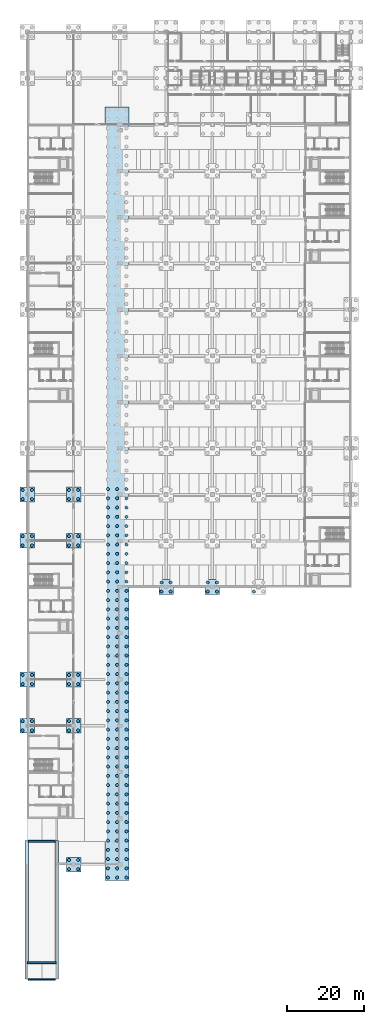
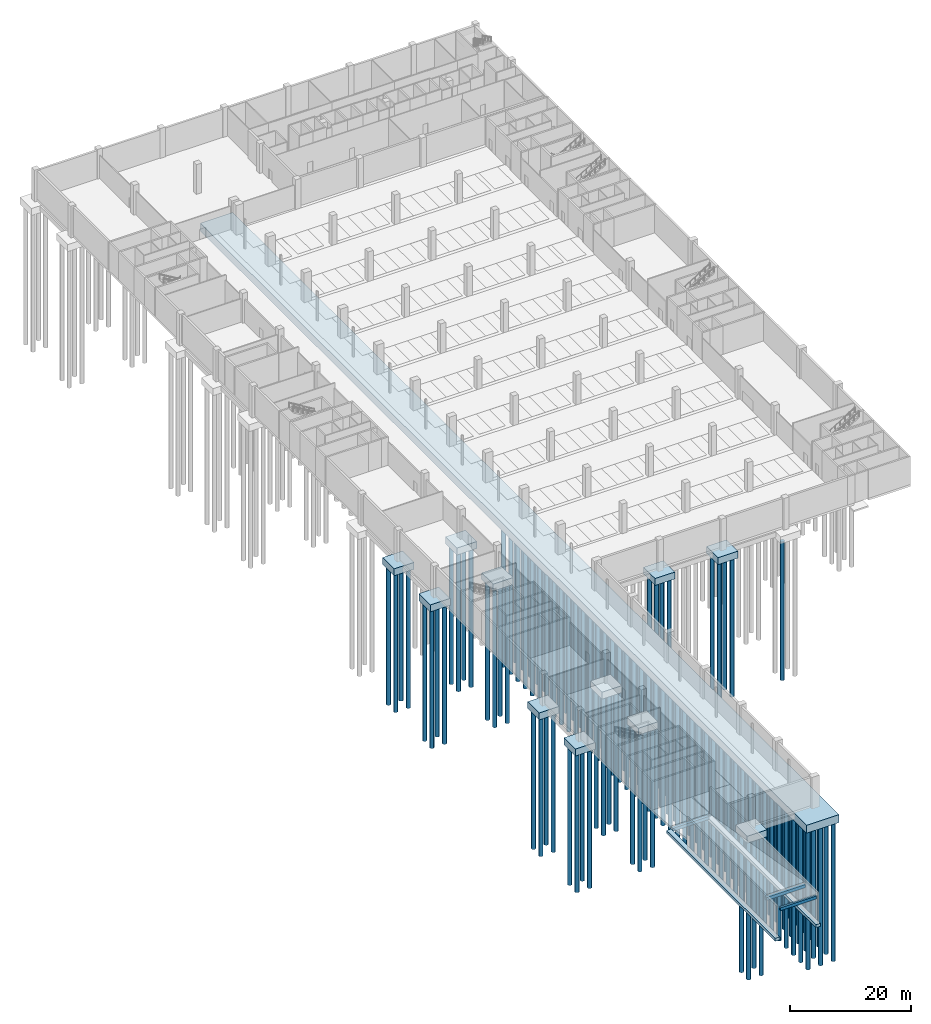
# One storey, part 1 of 34: 174 piles, 17 footings.
"""IFC4 building model written with IfcOpenShell, lengths in metres."""

from ifc_helpers import new_model, si_unit, direction, frame, origin, origin_2d, place, context, subcontext, project, spatial, polyline, circle, outline, extrude, material, layer, layer_set, material_profile, profile_set, type_object, element, save


model = new_model("IFC4")

# Units and contexts
model_context = context("Model", 3, precision=1e-05, world=origin(), true_north=direction((0.0, 1.0)))
body_context = subcontext(model_context, "Body", "Model", "MODEL_VIEW")
ifc_project = project(units=[si_unit("LENGTHUNIT", "METRE"), si_unit("AREAUNIT", "SQUARE_METRE"), si_unit("VOLUMEUNIT", "CUBIC_METRE"), si_unit("PLANEANGLEUNIT", "RADIAN"), si_unit("MASSUNIT", "GRAM", prefix="KILO")], contexts=[model_context])

# Site, building, storey
site_placement = place(None, origin())
site = spatial("IfcSite", under=ifc_project, at=site_placement, CompositionType="ELEMENT")
building_placement = place(site_placement, origin())
building = spatial("IfcBuilding", under=site, at=building_placement, Name="Lilac Gate Convention Centre", CompositionType="ELEMENT")
storey_placement = place(building_placement, frame((0.0, 0.0, -6.0)))
storey = spatial("IfcBuildingStorey", under=building, at=storey_placement, Name="B1", CompositionType="ELEMENT", Elevation=-6.0)

# Piles
ifc_material_1 = material(Name="Concrete C35", Category="concrete")
ifc_material_profile = material_profile(ifc_material_1, circle(Radius=0.39990234375, at=origin_2d()), Name="D800")
ifc_profile_set = profile_set([ifc_material_profile], Name="Concrete C35")
pile_type = type_object("IfcPileType", Name="Bored pile D800 L28 C35", PredefinedType="BORED", material=ifc_profile_set)
for number, where, z_axis, x_axis, name in (
    (1, (16.800048828125, 28.800048828125, -1.800048828125), (0.0, 0.0, -1.0), (1.0, 0.0, 0.0), "PL1 pile 1 of PC1 at 2/A"),
    (2, (16.800048828125, 31.199951171875, -1.800048828125), (0.0, 0.0, -1.0), (1.0, 0.0, 0.0), "PL1 pile 2 of PC1 at 2/A"),
    (3, (19.199951171875, 28.800048828125, -1.800048828125), (0.0, 0.0, -1.0), (1.0, 0.0, 0.0), "PL1 pile 3 of PC1 at 2/A"),
    (4, (19.199951171875, 31.199951171875, -1.800048828125), (0.0, 0.0, -1.0), (1.0, 0.0, 0.0), "PL1 pile 4 of PC1 at 2/A"),
    (5, (4.800048828125, 64.800048828125, -1.800048828125), (0.0, 0.0, -1.0), (1.0, 0.0, 0.0), "PL1 pile 1 of PC1 at 1/D"),
    (6, (4.800048828125, 67.199951171875, -1.800048828125), (0.0, 0.0, -1.0), (1.0, 0.0, 0.0), "PL1 pile 2 of PC1 at 1/D"),
    (7, (7.199951171875, 64.800048828125, -1.800048828125), (0.0, 0.0, -1.0), (1.0, 0.0, 0.0), "PL1 pile 3 of PC1 at 1/D"),
    (8, (7.199951171875, 67.199951171875, -1.800048828125), (0.0, 0.0, -1.0), (1.0, 0.0, 0.0), "PL1 pile 4 of PC1 at 1/D"),
    (9, (16.800048828125, 64.800048828125, -1.800048828125), (0.0, 0.0, -1.0), (1.0, 0.0, 0.0), "PL1 pile 1 of PC1 at 2/D"),
    (10, (16.800048828125, 67.199951171875, -1.800048828125), (0.0, 0.0, -1.0), (1.0, 0.0, 0.0), "PL1 pile 2 of PC1 at 2/D"),
    (11, (19.199951171875, 64.800048828125, -1.800048828125), (0.0, 0.0, -1.0), (1.0, 0.0, 0.0), "PL1 pile 3 of PC1 at 2/D"),
    (12, (19.199951171875, 67.199951171875, -1.800048828125), (0.0, 0.0, -1.0), (1.0, 0.0, 0.0), "PL1 pile 4 of PC1 at 2/D"),
    (13, (4.800048828125, 76.800048828125, -1.800048828125), (0.0, 0.0, -1.0), (1.0, 0.0, 0.0), "PL1 pile 1 of PC1 at 1/E"),
    (14, (4.800048828125, 79.199951171875, -1.800048828125), (0.0, 0.0, -1.0), (1.0, 0.0, 0.0), "PL1 pile 2 of PC1 at 1/E"),
    (15, (7.199951171875, 76.800048828125, -1.800048828125), (0.0, 0.0, -1.0), (1.0, 0.0, 0.0), "PL1 pile 3 of PC1 at 1/E"),
    (16, (7.199951171875, 79.199951171875, -1.800048828125), (0.0, 0.0, -1.0), (1.0, 0.0, 0.0), "PL1 pile 4 of PC1 at 1/E"),
    (17, (16.800048828125, 76.800048828125, -1.800048828125), (0.0, 0.0, -1.0), (1.0, 0.0, 0.0), "PL1 pile 1 of PC1 at 2/E"),
    (18, (16.800048828125, 79.199951171875, -1.800048828125), (0.0, 0.0, -1.0), (1.0, 0.0, 0.0), "PL1 pile 2 of PC1 at 2/E"),
    (19, (19.199951171875, 76.800048828125, -1.800048828125), (0.0, 0.0, -1.0), (1.0, 0.0, 0.0), "PL1 pile 3 of PC1 at 2/E"),
    (20, (19.199951171875, 79.199951171875, -1.800048828125), (0.0, 0.0, -1.0), (1.0, 0.0, 0.0), "PL1 pile 4 of PC1 at 2/E"),
    (21, (40.800048828125, 100.800048828125, -1.800048828125), (0.0, 0.0, -1.0), (1.0, 0.0, 0.0), "PL1 pile 1 of PC1 at 4/G"),
    (22, (40.800048828125, 103.199951171875, -1.800048828125), (0.0, 0.0, -1.0), (1.0, 0.0, 0.0), "PL1 pile 2 of PC1 at 4/G"),
    (23, (43.199951171875, 100.800048828125, -1.800048828125), (0.0, 0.0, -1.0), (1.0, 0.0, 0.0), "PL1 pile 3 of PC1 at 4/G"),
    (24, (43.199951171875, 103.199951171875, -1.800048828125), (0.0, 0.0, -1.0), (1.0, 0.0, 0.0), "PL1 pile 4 of PC1 at 4/G"),
    (25, (52.800048828125, 100.800048828125, -1.800048828125), (0.0, 0.0, -1.0), (1.0, 0.0, 0.0), "PL1 pile 1 of PC1 at 5/G"),
    (26, (52.800048828125, 103.199951171875, -1.800048828125), (0.0, 0.0, -1.0), (1.0, 0.0, 0.0), "PL1 pile 2 of PC1 at 5/G"),
    (27, (55.199951171875, 100.800048828125, -1.800048828125), (0.0, 0.0, -1.0), (1.0, 0.0, 0.0), "PL1 pile 3 of PC1 at 5/G"),
    (28, (55.199951171875, 103.199951171875, -1.800048828125), (0.0, 0.0, -1.0), (1.0, 0.0, 0.0), "PL1 pile 4 of PC1 at 5/G"),
    (29, (64.800048828125, 100.800048828125, -1.800048828125), (0.0, 0.0, -1.0), (1.0, 0.0, 0.0), "PL1 pile 1 of PC1 at 6/G"),
    (30, (4.800048828125, 112.800048828125, -1.800048828125), (0.0, 0.0, -1.0), (1.0, 0.0, 0.0), "PL1 pile 1 of PC1 at 1/H"),
    (31, (4.800048828125, 115.199951171875, -1.800048828125), (0.0, 0.0, -1.0), (1.0, 0.0, 0.0), "PL1 pile 2 of PC1 at 1/H"),
    (32, (7.199951171875, 112.800048828125, -1.800048828125), (0.0, 0.0, -1.0), (1.0, 0.0, 0.0), "PL1 pile 3 of PC1 at 1/H"),
    (33, (7.199951171875, 115.199951171875, -1.800048828125), (0.0, 0.0, -1.0), (1.0, 0.0, 0.0), "PL1 pile 4 of PC1 at 1/H"),
    (34, (16.800048828125, 112.800048828125, -1.800048828125), (0.0, 0.0, -1.0), (1.0, 0.0, 0.0), "PL1 pile 1 of PC1 at 2/H"),
    (35, (16.800048828125, 115.199951171875, -1.800048828125), (0.0, 0.0, -1.0), (1.0, 0.0, 0.0), "PL1 pile 2 of PC1 at 2/H"),
    (36, (19.199951171875, 112.800048828125, -1.800048828125), (0.0, 0.0, -1.0), (1.0, 0.0, 0.0), "PL1 pile 3 of PC1 at 2/H"),
    (37, (19.199951171875, 115.199951171875, -1.800048828125), (0.0, 0.0, -1.0), (1.0, 0.0, 0.0), "PL1 pile 4 of PC1 at 2/H"),
    (38, (4.800048828125, 124.800048828125, -1.800048828125), (0.0, 0.0, -1.0), (1.0, 0.0, 0.0), "PL1 pile 1 of PC1 at 1/J"),
    (39, (4.800048828125, 127.199951171875, -1.800048828125), (0.0, 0.0, -1.0), (1.0, 0.0, 0.0), "PL1 pile 2 of PC1 at 1/J"),
    (40, (7.199951171875, 124.800048828125, -1.800048828125), (0.0, 0.0, -1.0), (1.0, 0.0, 0.0), "PL1 pile 3 of PC1 at 1/J"),
    (41, (7.199951171875, 127.199951171875, -1.800048828125), (0.0, 0.0, -1.0), (1.0, 0.0, 0.0), "PL1 pile 4 of PC1 at 1/J"),
    (42, (16.800048828125, 124.800048828125, -1.800048828125), (0.0, 0.0, -1.0), (1.0, 0.0, 0.0), "PL1 pile 1 of PC1 at 2/J"),
    (43, (16.800048828125, 127.199951171875, -1.800048828125), (0.0, 0.0, -1.0), (1.0, 0.0, 0.0), "PL1 pile 2 of PC1 at 2/J"),
    (44, (19.199951171875, 124.800048828125, -1.800048828125), (0.0, 0.0, -1.0), (1.0, 0.0, 0.0), "PL1 pile 3 of PC1 at 2/J"),
    (45, (19.199951171875, 127.199951171875, -1.800048828125), (0.0, 0.0, -1.0), (1.0, 0.0, 0.0), "PL1 pile 4 of PC1 at 2/J"),
    (46, (26.89990234375, 26.625, -2.0), (0.0, 0.0, -1.0), (1.0, 0.0, 0.0), "PL1 pile 1 of PC3 at 29.3/126.225"),
    (47, (26.89990234375, 29.02490234375, -2.0), (0.0, 0.0, -1.0), (1.0, 0.0, 0.0), "PL1 pile 2 of PC3 at 29.3/126.225"),
    (48, (26.89990234375, 31.425048828125, -2.0), (0.0, 0.0, -1.0), (1.0, 0.0, 0.0), "PL1 pile 3 of PC3 at 29.3/126.225"),
    (49, (26.89990234375, 33.824951171875, -2.0), (0.0, 0.0, -1.0), (1.0, 0.0, 0.0), "PL1 pile 4 of PC3 at 29.3/126.225"),
    (50, (26.89990234375, 36.22509765625, -2.0), (0.0, 0.0, -1.0), (1.0, 0.0, 0.0), "PL1 pile 5 of PC3 at 29.3/126.225"),
    (51, (26.89990234375, 38.625, -2.0), (0.0, 0.0, -1.0), (1.0, 0.0, 0.0), "PL1 pile 6 of PC3 at 29.3/126.225"),
    (52, (26.89990234375, 41.02490234375, -2.0), (0.0, 0.0, -1.0), (1.0, 0.0, 0.0), "PL1 pile 7 of PC3 at 29.3/126.225"),
    (53, (26.89990234375, 43.425048828125, -2.0), (0.0, 0.0, -1.0), (1.0, 0.0, 0.0), "PL1 pile 8 of PC3 at 29.3/126.225"),
    (54, (26.89990234375, 45.824951171875, -2.0), (0.0, 0.0, -1.0), (1.0, 0.0, 0.0), "PL1 pile 9 of PC3 at 29.3/126.225"),
    (55, (26.89990234375, 48.22509765625, -2.0), (0.0, 0.0, -1.0), (1.0, 0.0, 0.0), "PL1 pile 10 of PC3 at 29.3/126.225"),
    (56, (26.89990234375, 50.625, -2.0), (0.0, 0.0, -1.0), (1.0, 0.0, 0.0), "PL1 pile 11 of PC3 at 29.3/126.225"),
    (57, (26.89990234375, 53.02490234375, -2.0), (0.0, 0.0, -1.0), (1.0, 0.0, 0.0), "PL1 pile 12 of PC3 at 29.3/126.225"),
    (58, (26.89990234375, 55.425048828125, -2.0), (0.0, 0.0, -1.0), (1.0, 0.0, 0.0), "PL1 pile 13 of PC3 at 29.3/126.225"),
    (59, (26.89990234375, 57.824951171875, -2.0), (0.0, 0.0, -1.0), (1.0, 0.0, 0.0), "PL1 pile 14 of PC3 at 29.3/126.225"),
    (60, (26.89990234375, 60.22509765625, -2.0), (0.0, 0.0, -1.0), (1.0, 0.0, 0.0), "PL1 pile 15 of PC3 at 29.3/126.225"),
    (61, (26.89990234375, 62.625, -2.0), (0.0, 0.0, -1.0), (1.0, 0.0, 0.0), "PL1 pile 16 of PC3 at 29.3/126.225"),
    (62, (26.89990234375, 65.02490234375, -2.0), (0.0, 0.0, -1.0), (1.0, 0.0, 0.0), "PL1 pile 17 of PC3 at 29.3/126.225"),
    (63, (26.89990234375, 67.425048828125, -2.0), (0.0, 0.0, -1.0), (1.0, 0.0, 0.0), "PL1 pile 18 of PC3 at 29.3/126.225"),
    (64, (26.89990234375, 69.824951171875, -2.0), (0.0, 0.0, -1.0), (1.0, 0.0, 0.0), "PL1 pile 19 of PC3 at 29.3/126.225"),
    (65, (26.89990234375, 72.22509765625, -2.0), (0.0, 0.0, -1.0), (1.0, 0.0, 0.0), "PL1 pile 20 of PC3 at 29.3/126.225"),
    (66, (26.89990234375, 74.625, -2.0), (0.0, 0.0, -1.0), (1.0, 0.0, 0.0), "PL1 pile 21 of PC3 at 29.3/126.225"),
    (67, (26.89990234375, 77.02490234375, -2.0), (0.0, 0.0, -1.0), (1.0, 0.0, 0.0), "PL1 pile 22 of PC3 at 29.3/126.225"),
    (68, (26.89990234375, 79.425048828125, -2.0), (0.0, 0.0, -1.0), (1.0, 0.0, 0.0), "PL1 pile 23 of PC3 at 29.3/126.225"),
    (69, (26.89990234375, 81.824951171875, -2.0), (0.0, 0.0, -1.0), (1.0, 0.0, 0.0), "PL1 pile 24 of PC3 at 29.3/126.225"),
    (70, (26.89990234375, 84.22509765625, -2.0), (0.0, 0.0, -1.0), (1.0, 0.0, 0.0), "PL1 pile 25 of PC3 at 29.3/126.225"),
    (71, (26.89990234375, 86.625, -2.0), (0.0, 0.0, -1.0), (1.0, 0.0, 0.0), "PL1 pile 26 of PC3 at 29.3/126.225"),
    (72, (26.89990234375, 89.02490234375, -2.0), (0.0, 0.0, -1.0), (1.0, 0.0, 0.0), "PL1 pile 27 of PC3 at 29.3/126.225"),
    (73, (26.89990234375, 91.425048828125, -2.0), (0.0, 0.0, -1.0), (1.0, 0.0, 0.0), "PL1 pile 28 of PC3 at 29.3/126.225"),
    (74, (26.89990234375, 93.824951171875, -2.0), (0.0, 0.0, -1.0), (1.0, 0.0, 0.0), "PL1 pile 29 of PC3 at 29.3/126.225"),
    (75, (26.89990234375, 96.22509765625, -2.0), (0.0, 0.0, -1.0), (1.0, 0.0, 0.0), "PL1 pile 30 of PC3 at 29.3/126.225"),
    (76, (26.89990234375, 98.625, -2.0), (0.0, 0.0, -1.0), (1.0, 0.0, 0.0), "PL1 pile 31 of PC3 at 29.3/126.225"),
    (77, (26.89990234375, 101.02490234375, -2.0), (0.0, 0.0, -1.0), (1.0, 0.0, 0.0), "PL1 pile 32 of PC3 at 29.3/126.225"),
    (78, (26.89990234375, 103.425048828125, -2.0), (0.0, 0.0, -1.0), (1.0, 0.0, 0.0), "PL1 pile 33 of PC3 at 29.3/126.225"),
    (79, (26.89990234375, 105.824951171875, -2.0), (0.0, 0.0, -1.0), (1.0, 0.0, 0.0), "PL1 pile 34 of PC3 at 29.3/126.225"),
    (80, (26.89990234375, 108.22509765625, -2.0), (0.0, 0.0, -1.0), (1.0, 0.0, 0.0), "PL1 pile 35 of PC3 at 29.3/126.225"),
    (81, (26.89990234375, 110.625, -2.0), (0.0, 0.0, -1.0), (1.0, 0.0, 0.0), "PL1 pile 36 of PC3 at 29.3/126.225"),
    (82, (26.89990234375, 113.02490234375, -2.0), (0.0, 0.0, -1.0), (1.0, 0.0, 0.0), "PL1 pile 37 of PC3 at 29.3/126.225"),
    (83, (26.89990234375, 115.425048828125, -2.0), (0.0, 0.0, -1.0), (1.0, 0.0, 0.0), "PL1 pile 38 of PC3 at 29.3/126.225"),
    (84, (26.89990234375, 117.824951171875, -2.0), (0.0, 0.0, -1.0), (1.0, 0.0, 0.0), "PL1 pile 39 of PC3 at 29.3/126.225"),
    (85, (26.89990234375, 120.22509765625, -2.0), (0.0, 0.0, -1.0), (1.0, 0.0, 0.0), "PL1 pile 40 of PC3 at 29.3/126.225"),
    (86, (26.89990234375, 122.625, -2.0), (0.0, 0.0, -1.0), (1.0, 0.0, 0.0), "PL1 pile 41 of PC3 at 29.3/126.225"),
    (87, (26.89990234375, 125.02490234375, -2.0), (0.0, 0.0, -1.0), (1.0, 0.0, 0.0), "PL1 pile 42 of PC3 at 29.3/126.225"),
    (88, (26.89990234375, 127.425048828125, -2.0), (0.0, 0.0, -1.0), (1.0, 0.0, 0.0), "PL1 pile 43 of PC3 at 29.3/126.225"),
    (89, (29.300048828125, 26.625, -2.0), (0.0, 0.0, -1.0), (1.0, 0.0, 0.0), "PL1 pile 85 of PC3 at 29.3/126.225"),
    (90, (29.300048828125, 29.02490234375, -2.0), (0.0, 0.0, -1.0), (1.0, 0.0, 0.0), "PL1 pile 86 of PC3 at 29.3/126.225"),
    (91, (29.300048828125, 31.425048828125, -2.0), (0.0, 0.0, -1.0), (1.0, 0.0, 0.0), "PL1 pile 87 of PC3 at 29.3/126.225"),
    (92, (29.300048828125, 33.824951171875, -2.0), (0.0, 0.0, -1.0), (1.0, 0.0, 0.0), "PL1 pile 88 of PC3 at 29.3/126.225"),
    (93, (29.300048828125, 36.22509765625, -2.0), (0.0, 0.0, -1.0), (1.0, 0.0, 0.0), "PL1 pile 89 of PC3 at 29.3/126.225"),
    (94, (29.300048828125, 38.625, -2.0), (0.0, 0.0, -1.0), (1.0, 0.0, 0.0), "PL1 pile 90 of PC3 at 29.3/126.225"),
    (95, (29.300048828125, 41.02490234375, -2.0), (0.0, 0.0, -1.0), (1.0, 0.0, 0.0), "PL1 pile 91 of PC3 at 29.3/126.225"),
    (96, (29.300048828125, 43.425048828125, -2.0), (0.0, 0.0, -1.0), (1.0, 0.0, 0.0), "PL1 pile 92 of PC3 at 29.3/126.225"),
    (97, (29.300048828125, 45.824951171875, -2.0), (0.0, 0.0, -1.0), (1.0, 0.0, 0.0), "PL1 pile 93 of PC3 at 29.3/126.225"),
    (98, (29.300048828125, 48.22509765625, -2.0), (0.0, 0.0, -1.0), (1.0, 0.0, 0.0), "PL1 pile 94 of PC3 at 29.3/126.225"),
    (99, (29.300048828125, 50.625, -2.0), (0.0, 0.0, -1.0), (1.0, 0.0, 0.0), "PL1 pile 95 of PC3 at 29.3/126.225"),
    (100, (29.300048828125, 53.02490234375, -2.0), (0.0, 0.0, -1.0), (1.0, 0.0, 0.0), "PL1 pile 96 of PC3 at 29.3/126.225"),
    (101, (29.300048828125, 55.425048828125, -2.0), (0.0, 0.0, -1.0), (1.0, 0.0, 0.0), "PL1 pile 97 of PC3 at 29.3/126.225"),
    (102, (29.300048828125, 57.824951171875, -2.0), (0.0, 0.0, -1.0), (1.0, 0.0, 0.0), "PL1 pile 98 of PC3 at 29.3/126.225"),
    (103, (29.300048828125, 60.22509765625, -2.0), (0.0, 0.0, -1.0), (1.0, 0.0, 0.0), "PL1 pile 99 of PC3 at 29.3/126.225"),
    (104, (29.300048828125, 62.625, -2.0), (0.0, 0.0, -1.0), (1.0, 0.0, 0.0), "PL1 pile 100 of PC3 at 29.3/126.225"),
    (105, (29.300048828125, 65.02490234375, -2.0), (0.0, 0.0, -1.0), (1.0, 0.0, 0.0), "PL1 pile 101 of PC3 at 29.3/126.225"),
    (106, (29.300048828125, 67.425048828125, -2.0), (0.0, 0.0, -1.0), (1.0, 0.0, 0.0), "PL1 pile 102 of PC3 at 29.3/126.225"),
    (107, (29.300048828125, 69.824951171875, -2.0), (0.0, 0.0, -1.0), (1.0, 0.0, 0.0), "PL1 pile 103 of PC3 at 29.3/126.225"),
    (108, (29.300048828125, 72.22509765625, -2.0), (0.0, 0.0, -1.0), (1.0, 0.0, 0.0), "PL1 pile 104 of PC3 at 29.3/126.225"),
    (109, (29.300048828125, 74.625, -2.0), (0.0, 0.0, -1.0), (1.0, 0.0, 0.0), "PL1 pile 105 of PC3 at 29.3/126.225"),
    (110, (29.300048828125, 77.02490234375, -2.0), (0.0, 0.0, -1.0), (1.0, 0.0, 0.0), "PL1 pile 106 of PC3 at 29.3/126.225"),
    (111, (29.300048828125, 79.425048828125, -2.0), (0.0, 0.0, -1.0), (1.0, 0.0, 0.0), "PL1 pile 107 of PC3 at 29.3/126.225"),
    (112, (29.300048828125, 81.824951171875, -2.0), (0.0, 0.0, -1.0), (1.0, 0.0, 0.0), "PL1 pile 108 of PC3 at 29.3/126.225"),
    (113, (29.300048828125, 84.22509765625, -2.0), (0.0, 0.0, -1.0), (1.0, 0.0, 0.0), "PL1 pile 109 of PC3 at 29.3/126.225"),
    (114, (29.300048828125, 86.625, -2.0), (0.0, 0.0, -1.0), (1.0, 0.0, 0.0), "PL1 pile 110 of PC3 at 29.3/126.225"),
    (115, (29.300048828125, 89.02490234375, -2.0), (0.0, 0.0, -1.0), (1.0, 0.0, 0.0), "PL1 pile 111 of PC3 at 29.3/126.225"),
    (116, (29.300048828125, 91.425048828125, -2.0), (0.0, 0.0, -1.0), (1.0, 0.0, 0.0), "PL1 pile 112 of PC3 at 29.3/126.225"),
    (117, (29.300048828125, 93.824951171875, -2.0), (0.0, 0.0, -1.0), (1.0, 0.0, 0.0), "PL1 pile 113 of PC3 at 29.3/126.225"),
    (118, (29.300048828125, 96.22509765625, -2.0), (0.0, 0.0, -1.0), (1.0, 0.0, 0.0), "PL1 pile 114 of PC3 at 29.3/126.225"),
    (119, (29.300048828125, 98.625, -2.0), (0.0, 0.0, -1.0), (1.0, 0.0, 0.0), "PL1 pile 115 of PC3 at 29.3/126.225"),
    (120, (29.300048828125, 101.02490234375, -2.0), (0.0, 0.0, -1.0), (1.0, 0.0, 0.0), "PL1 pile 116 of PC3 at 29.3/126.225"),
    (121, (29.300048828125, 103.425048828125, -2.0), (0.0, 0.0, -1.0), (1.0, 0.0, 0.0), "PL1 pile 117 of PC3 at 29.3/126.225"),
    (122, (29.300048828125, 105.824951171875, -2.0), (0.0, 0.0, -1.0), (1.0, 0.0, 0.0), "PL1 pile 118 of PC3 at 29.3/126.225"),
    (123, (29.300048828125, 108.22509765625, -2.0), (0.0, 0.0, -1.0), (1.0, 0.0, 0.0), "PL1 pile 119 of PC3 at 29.3/126.225"),
    (124, (29.300048828125, 110.625, -2.0), (0.0, 0.0, -1.0), (1.0, 0.0, 0.0), "PL1 pile 120 of PC3 at 29.3/126.225"),
    (125, (29.300048828125, 113.02490234375, -2.0), (0.0, 0.0, -1.0), (1.0, 0.0, 0.0), "PL1 pile 121 of PC3 at 29.3/126.225"),
    (126, (29.300048828125, 115.425048828125, -2.0), (0.0, 0.0, -1.0), (1.0, 0.0, 0.0), "PL1 pile 122 of PC3 at 29.3/126.225"),
    (127, (29.300048828125, 117.824951171875, -2.0), (0.0, 0.0, -1.0), (1.0, 0.0, 0.0), "PL1 pile 123 of PC3 at 29.3/126.225"),
    (128, (29.300048828125, 120.22509765625, -2.0), (0.0, 0.0, -1.0), (1.0, 0.0, 0.0), "PL1 pile 124 of PC3 at 29.3/126.225"),
    (129, (29.300048828125, 122.625, -2.0), (0.0, 0.0, -1.0), (1.0, 0.0, 0.0), "PL1 pile 125 of PC3 at 29.3/126.225"),
    (130, (29.300048828125, 125.02490234375, -2.0), (0.0, 0.0, -1.0), (1.0, 0.0, 0.0), "PL1 pile 126 of PC3 at 29.3/126.225"),
    (131, (29.300048828125, 127.425048828125, -2.0), (0.0, 0.0, -1.0), (1.0, 0.0, 0.0), "PL1 pile 127 of PC3 at 29.3/126.225"),
    (132, (31.699951171875, 26.625, -2.0), (0.0, 0.0, -1.0), (1.0, 0.0, 0.0), "PL1 pile 169 of PC3 at 29.3/126.225"),
    (133, (31.699951171875, 29.02490234375, -2.0), (0.0, 0.0, -1.0), (1.0, 0.0, 0.0), "PL1 pile 170 of PC3 at 29.3/126.225"),
    (134, (31.699951171875, 31.425048828125, -2.0), (0.0, 0.0, -1.0), (1.0, 0.0, 0.0), "PL1 pile 171 of PC3 at 29.3/126.225"),
    (135, (31.699951171875, 33.824951171875, -2.0), (0.0, 0.0, -1.0), (1.0, 0.0, 0.0), "PL1 pile 172 of PC3 at 29.3/126.225"),
    (136, (31.699951171875, 36.22509765625, -2.0), (0.0, 0.0, -1.0), (1.0, 0.0, 0.0), "PL1 pile 173 of PC3 at 29.3/126.225"),
    (137, (31.699951171875, 38.625, -2.0), (0.0, 0.0, -1.0), (1.0, 0.0, 0.0), "PL1 pile 174 of PC3 at 29.3/126.225"),
    (138, (31.699951171875, 41.02490234375, -2.0), (0.0, 0.0, -1.0), (1.0, 0.0, 0.0), "PL1 pile 175 of PC3 at 29.3/126.225"),
    (139, (31.699951171875, 43.425048828125, -2.0), (0.0, 0.0, -1.0), (1.0, 0.0, 0.0), "PL1 pile 176 of PC3 at 29.3/126.225"),
    (140, (31.699951171875, 45.824951171875, -2.0), (0.0, 0.0, -1.0), (1.0, 0.0, 0.0), "PL1 pile 177 of PC3 at 29.3/126.225"),
    (141, (31.699951171875, 48.22509765625, -2.0), (0.0, 0.0, -1.0), (1.0, 0.0, 0.0), "PL1 pile 178 of PC3 at 29.3/126.225"),
    (142, (31.699951171875, 50.625, -2.0), (0.0, 0.0, -1.0), (1.0, 0.0, 0.0), "PL1 pile 179 of PC3 at 29.3/126.225"),
    (143, (31.699951171875, 53.02490234375, -2.0), (0.0, 0.0, -1.0), (1.0, 0.0, 0.0), "PL1 pile 180 of PC3 at 29.3/126.225"),
    (144, (31.699951171875, 55.425048828125, -2.0), (0.0, 0.0, -1.0), (1.0, 0.0, 0.0), "PL1 pile 181 of PC3 at 29.3/126.225"),
    (145, (31.699951171875, 57.824951171875, -2.0), (0.0, 0.0, -1.0), (1.0, 0.0, 0.0), "PL1 pile 182 of PC3 at 29.3/126.225"),
    (146, (31.699951171875, 60.22509765625, -2.0), (0.0, 0.0, -1.0), (1.0, 0.0, 0.0), "PL1 pile 183 of PC3 at 29.3/126.225"),
    (147, (31.699951171875, 62.625, -2.0), (0.0, 0.0, -1.0), (1.0, 0.0, 0.0), "PL1 pile 184 of PC3 at 29.3/126.225"),
    (148, (31.699951171875, 65.02490234375, -2.0), (0.0, 0.0, -1.0), (1.0, 0.0, 0.0), "PL1 pile 185 of PC3 at 29.3/126.225"),
    (149, (31.699951171875, 67.425048828125, -2.0), (0.0, 0.0, -1.0), (1.0, 0.0, 0.0), "PL1 pile 186 of PC3 at 29.3/126.225"),
    (150, (31.699951171875, 69.824951171875, -2.0), (0.0, 0.0, -1.0), (1.0, 0.0, 0.0), "PL1 pile 187 of PC3 at 29.3/126.225"),
    (151, (31.699951171875, 72.22509765625, -2.0), (0.0, 0.0, -1.0), (1.0, 0.0, 0.0), "PL1 pile 188 of PC3 at 29.3/126.225"),
    (152, (31.699951171875, 74.625, -2.0), (0.0, 0.0, -1.0), (1.0, 0.0, 0.0), "PL1 pile 189 of PC3 at 29.3/126.225"),
    (153, (31.699951171875, 77.02490234375, -2.0), (0.0, 0.0, -1.0), (1.0, 0.0, 0.0), "PL1 pile 190 of PC3 at 29.3/126.225"),
    (154, (31.699951171875, 79.425048828125, -2.0), (0.0, 0.0, -1.0), (1.0, 0.0, 0.0), "PL1 pile 191 of PC3 at 29.3/126.225"),
    (155, (31.699951171875, 81.824951171875, -2.0), (0.0, 0.0, -1.0), (1.0, 0.0, 0.0), "PL1 pile 192 of PC3 at 29.3/126.225"),
    (156, (31.699951171875, 84.22509765625, -2.0), (0.0, 0.0, -1.0), (1.0, 0.0, 0.0), "PL1 pile 193 of PC3 at 29.3/126.225"),
    (157, (31.699951171875, 86.625, -2.0), (0.0, 0.0, -1.0), (1.0, 0.0, 0.0), "PL1 pile 194 of PC3 at 29.3/126.225"),
    (158, (31.699951171875, 89.02490234375, -2.0), (0.0, 0.0, -1.0), (1.0, 0.0, 0.0), "PL1 pile 195 of PC3 at 29.3/126.225"),
    (159, (31.699951171875, 91.425048828125, -2.0), (0.0, 0.0, -1.0), (1.0, 0.0, 0.0), "PL1 pile 196 of PC3 at 29.3/126.225"),
    (160, (31.699951171875, 93.824951171875, -2.0), (0.0, 0.0, -1.0), (1.0, 0.0, 0.0), "PL1 pile 197 of PC3 at 29.3/126.225"),
    (161, (31.699951171875, 96.22509765625, -2.0), (0.0, 0.0, -1.0), (1.0, 0.0, 0.0), "PL1 pile 198 of PC3 at 29.3/126.225"),
    (162, (31.699951171875, 98.625, -2.0), (0.0, 0.0, -1.0), (1.0, 0.0, 0.0), "PL1 pile 199 of PC3 at 29.3/126.225"),
    (163, (31.699951171875, 101.02490234375, -2.0), (0.0, 0.0, -1.0), (1.0, 0.0, 0.0), "PL1 pile 200 of PC3 at 29.3/126.225"),
    (164, (31.699951171875, 103.425048828125, -2.0), (0.0, 0.0, -1.0), (1.0, 0.0, 0.0), "PL1 pile 201 of PC3 at 29.3/126.225"),
    (165, (31.699951171875, 105.824951171875, -2.0), (0.0, 0.0, -1.0), (1.0, 0.0, 0.0), "PL1 pile 202 of PC3 at 29.3/126.225"),
    (166, (31.699951171875, 108.22509765625, -2.0), (0.0, 0.0, -1.0), (1.0, 0.0, 0.0), "PL1 pile 203 of PC3 at 29.3/126.225"),
    (167, (31.699951171875, 110.625, -2.0), (0.0, 0.0, -1.0), (1.0, 0.0, 0.0), "PL1 pile 204 of PC3 at 29.3/126.225"),
    (168, (31.699951171875, 113.02490234375, -2.0), (0.0, 0.0, -1.0), (1.0, 0.0, 0.0), "PL1 pile 205 of PC3 at 29.3/126.225"),
    (169, (31.699951171875, 115.425048828125, -2.0), (0.0, 0.0, -1.0), (1.0, 0.0, 0.0), "PL1 pile 206 of PC3 at 29.3/126.225"),
    (170, (31.699951171875, 117.824951171875, -2.0), (0.0, 0.0, -1.0), (1.0, 0.0, 0.0), "PL1 pile 207 of PC3 at 29.3/126.225"),
    (171, (31.699951171875, 120.22509765625, -2.0), (0.0, 0.0, -1.0), (1.0, 0.0, 0.0), "PL1 pile 208 of PC3 at 29.3/126.225"),
    (172, (31.699951171875, 122.625, -2.0), (0.0, 0.0, -1.0), (1.0, 0.0, 0.0), "PL1 pile 209 of PC3 at 29.3/126.225"),
    (173, (31.699951171875, 125.02490234375, -2.0), (0.0, 0.0, -1.0), (1.0, 0.0, 0.0), "PL1 pile 210 of PC3 at 29.3/126.225"),
    (174, (31.699951171875, 127.425048828125, -2.0), (0.0, 0.0, -1.0), (1.0, 0.0, 0.0), "PL1 pile 211 of PC3 at 29.3/126.225"),
):
    element("IfcPile", number, at=place(storey_placement, frame(where, z_axis=z_axis, x_axis=x_axis)), inside=storey, type_object=pile_type, Name=name, PredefinedType="BORED", context=body_context, shape_type="SweptSolid", body=[
        extrude(circle(Radius=0.39990234375, at=origin_2d()), origin(), (0.0, 0.0, 1.0), 28.0),
    ])

# Footings
ifc_material_2 = material(Name="Concrete C40", Category="concrete")
ifc_layer_1 = layer(ifc_material_2, 1.60009765625)
ifc_layer_set_1 = layer_set([ifc_layer_1], Name="Concrete C40")
footing_type_1 = type_object("IfcFootingType", Name="Continuous pile cap 252 piles 1600 C40", PredefinedType="PILE_CAP", material=ifc_layer_set_1)
footing_1_placement = place(storey_placement, frame((0.0, 0.0, -2.0)))
element("IfcFooting", 175, at=footing_1_placement, inside=storey, type_object=footing_type_1, Name="PC3 pile cap at 29.3/126.225", PredefinedType="PILE_CAP", context=body_context, shape_type="SweptSolid", body=[
    extrude(outline(polyline([(26.199951171875, 25.925048828125), (32.39990234375, 25.925048828125), (32.39990234375, 226.52490234375), (26.199951171875, 226.52490234375), (26.199951171875, 25.925048828125)])), origin(), (0.0, 0.0, 1.0), 1.60009765625),
])
ifc_layer_2 = layer(ifc_material_2, 1.39990234375)
ifc_layer_set_2 = layer_set([ifc_layer_2], Name="Concrete C40")
footing_type_2 = type_object("IfcFootingType", Name="Pile cap 2x2 piles 1400 C40", PredefinedType="PILE_CAP", material=ifc_layer_set_2)
footing_2_placement = place(storey_placement, frame((0.0, 0.0, -1.800048828125)))
element("IfcFooting", 176, at=footing_2_placement, inside=storey, type_object=footing_type_2, Name="PC1 pile cap at 2/A", PredefinedType="PILE_CAP", context=body_context, shape_type="SweptSolid", body=[
    extrude(outline(polyline([(16.10009765625, 28.10009765625), (19.89990234375, 28.10009765625), (19.89990234375, 31.89990234375), (16.10009765625, 31.89990234375), (16.10009765625, 28.10009765625)])), origin(), (0.0, 0.0, 1.0), 1.400146484375),
])
footing_3_placement = place(storey_placement, frame((0.0, 0.0, -1.800048828125)))
element("IfcFooting", 177, at=footing_3_placement, inside=storey, type_object=footing_type_2, Name="PC1 pile cap at 1/D", PredefinedType="PILE_CAP", context=body_context, shape_type="SweptSolid", body=[
    extrude(outline(polyline([(4.10009765625, 64.10009765625), (7.89990234375, 64.10009765625), (7.89990234375, 67.89990234375), (4.10009765625, 67.89990234375), (4.10009765625, 64.10009765625)])), origin(), (0.0, 0.0, 1.0), 1.400146484375),
])
footing_4_placement = place(storey_placement, frame((0.0, 0.0, -1.800048828125)))
element("IfcFooting", 178, at=footing_4_placement, inside=storey, type_object=footing_type_2, Name="PC1 pile cap at 2/D", PredefinedType="PILE_CAP", context=body_context, shape_type="SweptSolid", body=[
    extrude(outline(polyline([(16.10009765625, 64.10009765625), (19.89990234375, 64.10009765625), (19.89990234375, 67.89990234375), (16.10009765625, 67.89990234375), (16.10009765625, 64.10009765625)])), origin(), (0.0, 0.0, 1.0), 1.400146484375),
])
footing_5_placement = place(storey_placement, frame((0.0, 0.0, -1.800048828125)))
element("IfcFooting", 179, at=footing_5_placement, inside=storey, type_object=footing_type_2, Name="PC1 pile cap at 1/E", PredefinedType="PILE_CAP", context=body_context, shape_type="SweptSolid", body=[
    extrude(outline(polyline([(4.10009765625, 76.10009765625), (7.89990234375, 76.10009765625), (7.89990234375, 79.89990234375), (4.10009765625, 79.89990234375), (4.10009765625, 76.10009765625)])), origin(), (0.0, 0.0, 1.0), 1.400146484375),
])
footing_6_placement = place(storey_placement, frame((0.0, 0.0, -1.800048828125)))
element("IfcFooting", 180, at=footing_6_placement, inside=storey, type_object=footing_type_2, Name="PC1 pile cap at 2/E", PredefinedType="PILE_CAP", context=body_context, shape_type="SweptSolid", body=[
    extrude(outline(polyline([(16.10009765625, 76.10009765625), (19.89990234375, 76.10009765625), (19.89990234375, 79.89990234375), (16.10009765625, 79.89990234375), (16.10009765625, 76.10009765625)])), origin(), (0.0, 0.0, 1.0), 1.400146484375),
])
footing_7_placement = place(storey_placement, frame((0.0, 0.0, -1.800048828125)))
element("IfcFooting", 181, at=footing_7_placement, inside=storey, type_object=footing_type_2, Name="PC1 pile cap at 4/G", PredefinedType="PILE_CAP", context=body_context, shape_type="SweptSolid", body=[
    extrude(outline(polyline([(40.10009765625, 100.10009765625), (43.89990234375, 100.10009765625), (43.89990234375, 103.89990234375), (40.10009765625, 103.89990234375), (40.10009765625, 100.10009765625)])), origin(), (0.0, 0.0, 1.0), 1.400146484375),
])
footing_8_placement = place(storey_placement, frame((0.0, 0.0, -1.800048828125)))
element("IfcFooting", 182, at=footing_8_placement, inside=storey, type_object=footing_type_2, Name="PC1 pile cap at 5/G", PredefinedType="PILE_CAP", context=body_context, shape_type="SweptSolid", body=[
    extrude(outline(polyline([(52.10009765625, 100.10009765625), (55.89990234375, 100.10009765625), (55.89990234375, 103.89990234375), (52.10009765625, 103.89990234375), (52.10009765625, 100.10009765625)])), origin(), (0.0, 0.0, 1.0), 1.400146484375),
])
footing_9_placement = place(storey_placement, frame((0.0, 0.0, -1.800048828125)))
element("IfcFooting", 183, at=footing_9_placement, inside=storey, type_object=footing_type_2, Name="PC1 pile cap at 1/H", PredefinedType="PILE_CAP", context=body_context, shape_type="SweptSolid", body=[
    extrude(outline(polyline([(4.10009765625, 112.10009765625), (7.89990234375, 112.10009765625), (7.89990234375, 115.89990234375), (4.10009765625, 115.89990234375), (4.10009765625, 112.10009765625)])), origin(), (0.0, 0.0, 1.0), 1.400146484375),
])
footing_10_placement = place(storey_placement, frame((0.0, 0.0, -1.800048828125)))
element("IfcFooting", 184, at=footing_10_placement, inside=storey, type_object=footing_type_2, Name="PC1 pile cap at 2/H", PredefinedType="PILE_CAP", context=body_context, shape_type="SweptSolid", body=[
    extrude(outline(polyline([(16.10009765625, 112.10009765625), (19.89990234375, 112.10009765625), (19.89990234375, 115.89990234375), (16.10009765625, 115.89990234375), (16.10009765625, 112.10009765625)])), origin(), (0.0, 0.0, 1.0), 1.400146484375),
])
footing_11_placement = place(storey_placement, frame((0.0, 0.0, -1.800048828125)))
element("IfcFooting", 185, at=footing_11_placement, inside=storey, type_object=footing_type_2, Name="PC1 pile cap at 1/J", PredefinedType="PILE_CAP", context=body_context, shape_type="SweptSolid", body=[
    extrude(outline(polyline([(4.10009765625, 124.10009765625), (7.89990234375, 124.10009765625), (7.89990234375, 127.89990234375), (4.10009765625, 127.89990234375), (4.10009765625, 124.10009765625)])), origin(), (0.0, 0.0, 1.0), 1.400146484375),
])
footing_12_placement = place(storey_placement, frame((0.0, 0.0, -1.800048828125)))
element("IfcFooting", 186, at=footing_12_placement, inside=storey, type_object=footing_type_2, Name="PC1 pile cap at 2/J", PredefinedType="PILE_CAP", context=body_context, shape_type="SweptSolid", body=[
    extrude(outline(polyline([(16.10009765625, 124.10009765625), (19.89990234375, 124.10009765625), (19.89990234375, 127.89990234375), (16.10009765625, 127.89990234375), (16.10009765625, 124.10009765625)])), origin(), (0.0, 0.0, 1.0), 1.400146484375),
])
ifc_layer_3 = layer(ifc_material_2, 0.60009765625)
ifc_layer_set_3 = layer_set([ifc_layer_3], Name="Concrete C40")
footing_type_3 = type_object("IfcFootingType", Name="Ramp wall strip footing", PredefinedType="STRIP_FOOTING", material=ifc_layer_set_3)
footing_13_placement = place(storey_placement, frame((0.0, 0.0, 5.0)))
element("IfcFooting", 187, at=footing_13_placement, inside=storey, type_object=footing_type_3, Name="Ramp ground beam S", PredefinedType="STRIP_FOOTING", context=body_context, shape_type="SweptSolid", body=[
    extrude(outline(polyline([(6.300048828125, 0.06005859375), (13.199951171875, 0.06005859375), (13.199951171875, 0.39990234375), (6.300048828125, 0.39990234375), (6.300048828125, 0.06005859375)])), origin(), (0.0, 0.0, 1.0), 0.60009765625),
])
footing_14_placement = place(storey_placement, frame((0.0, 0.0, 4.6298828125)))
element("IfcFooting", 188, at=footing_14_placement, inside=storey, type_object=footing_type_3, Name="Ramp ground beam J1", PredefinedType="STRIP_FOOTING", context=body_context, shape_type="SweptSolid", body=[
    extrude(outline(polyline([(6.0, 4.25), (13.5, 4.25), (13.5, 4.75), (6.0, 4.75), (6.0, 4.25)])), origin(), (0.0, 0.0, 1.0), 0.60009765625),
])
footing_15_placement = place(storey_placement, frame((0.0, 0.0, -0.6201171875)))
element("IfcFooting", 189, at=footing_15_placement, inside=storey, type_object=footing_type_3, Name="Ramp ground beam J2", PredefinedType="STRIP_FOOTING", context=body_context, shape_type="SweptSolid", body=[
    extrude(outline(polyline([(6.300048828125, 35.75), (13.199951171875, 35.75), (13.199951171875, 36.25), (6.300048828125, 36.25), (6.300048828125, 35.75)])), origin(), (0.0, 0.0, 1.0), 0.60009765625),
])
footing_16_placement = place(storey_placement, frame((0.0, 0.0, -1.0)))
element("IfcFooting", 190, at=footing_16_placement, inside=storey, type_object=footing_type_3, Name="Ramp wall footing W", PredefinedType="STRIP_FOOTING", context=body_context, shape_type="SweptSolid", body=[
    extrude(outline(polyline([(5.39990234375, 0.304931640625), (6.300048828125, 0.304931640625), (6.300048828125, 36.25), (5.39990234375, 36.25), (5.39990234375, 0.304931640625)])), origin(), (0.0, 0.0, 1.0), 0.60009765625),
])
footing_17_placement = place(storey_placement, frame((0.0, 0.0, -1.0)))
element("IfcFooting", 191, at=footing_17_placement, inside=storey, type_object=footing_type_3, Name="Ramp wall footing E", PredefinedType="STRIP_FOOTING", context=body_context, shape_type="SweptSolid", body=[
    extrude(outline(polyline([(13.199951171875, 0.304931640625), (14.10009765625, 0.304931640625), (14.10009765625, 36.25), (13.199951171875, 36.25), (13.199951171875, 0.304931640625)])), origin(), (0.0, 0.0, 1.0), 0.60009765625),
])

save(model, "model.ifc")
